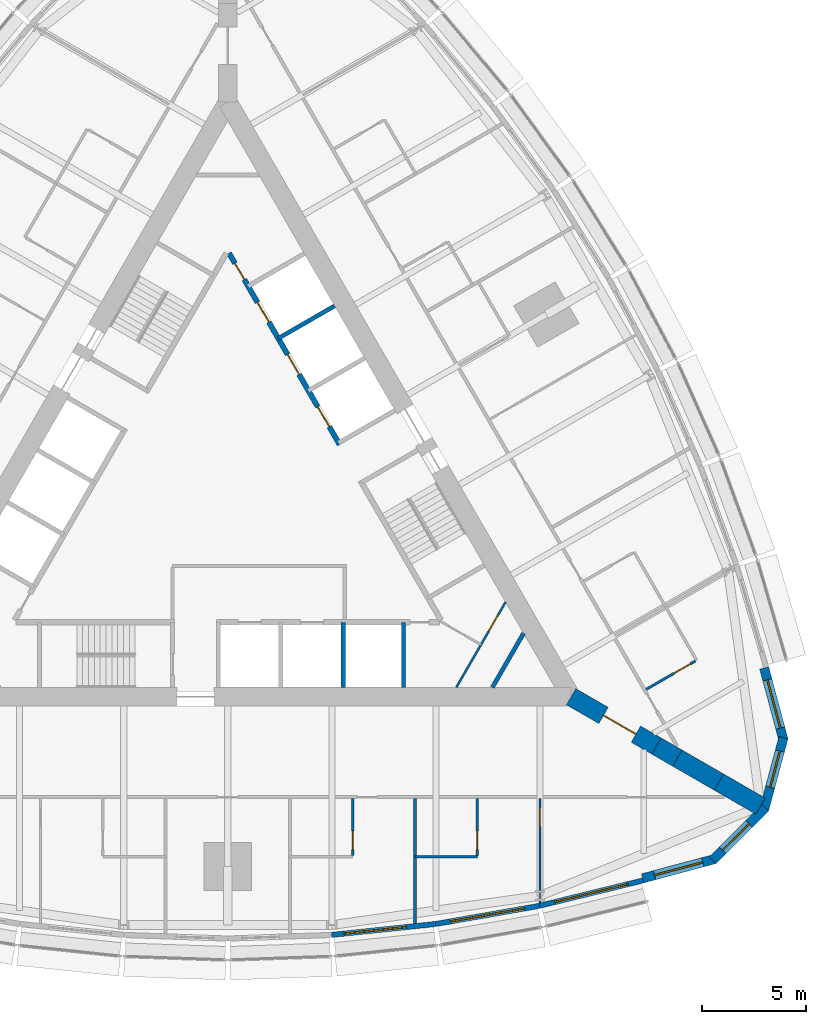
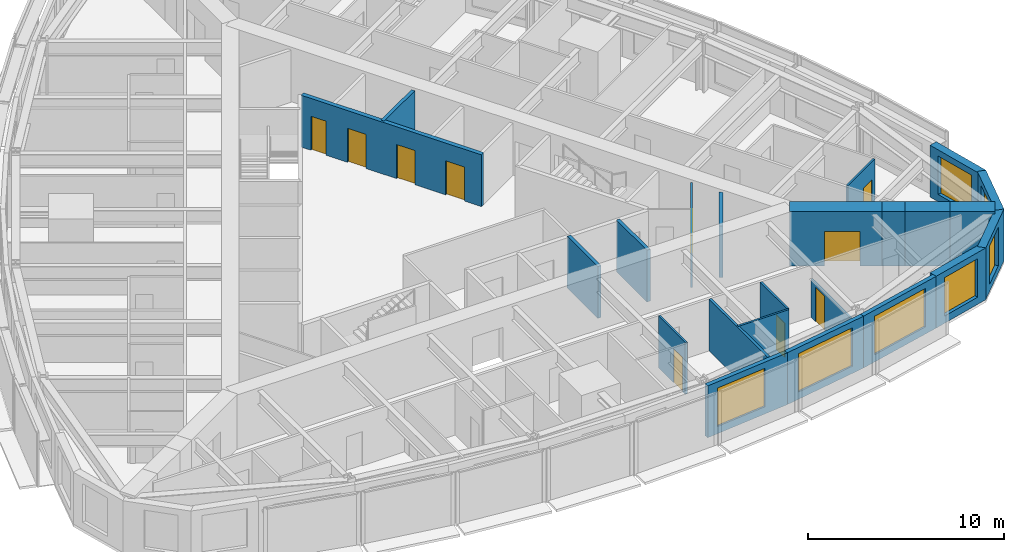
# One storey, part 10 of 14: 23 walls, 10 doors, 7 windows, 17 openings.
"""IFC4 building model written with IfcOpenShell, lengths in metres."""

from ifc_helpers import new_model, si_unit, direction, frame, frame_2d, origin, place, context, subcontext, project, spatial, polyline, rectangle, outline, extrude, material, layer, layer_set, type_object, element, fill, save


model = new_model("IFC4")

# Units and contexts
model_context = context("Model", 3, precision=1e-05, world=origin(), true_north=direction((0.0, 1.0)))
body_context = subcontext(model_context, "Body", "Model", "MODEL_VIEW")
ifc_project = project(units=[si_unit("LENGTHUNIT", "METRE"), si_unit("AREAUNIT", "SQUARE_METRE"), si_unit("VOLUMEUNIT", "CUBIC_METRE"), si_unit("PLANEANGLEUNIT", "RADIAN"), si_unit("MASSUNIT", "GRAM", prefix="KILO")], contexts=[model_context])

# Site, building, storey
site_placement = place(None, origin())
site = spatial("IfcSite", under=ifc_project, at=site_placement, CompositionType="ELEMENT")
building_placement = place(site_placement, origin())
building = spatial("IfcBuilding", under=site, at=building_placement, Name="Trikona Tower", CompositionType="ELEMENT")
storey_placement = place(building_placement, frame((0.0, 0.0, 169.10009765625)))
storey = spatial("IfcBuildingStorey", under=building, at=storey_placement, Name="L45", CompositionType="ELEMENT", Elevation=169.10009765625)

# Wall, opening, door
ifc_material_1 = material(Name="Metal stud and cement board", Category="gypsum")
ifc_layer_1 = layer(ifc_material_1, 0.1201171875)
ifc_layer_set_1 = layer_set([ifc_layer_1], Name="Bathroom wall 120")
wall_type_1 = type_object("IfcWallType", Name="Bathroom wall 120", PredefinedType="PLUMBINGWALL", material=ifc_layer_set_1)
wall_1_placement = place(storey_placement, frame((6.0, -14.42626953125, 0.0), z_axis=(0.0, 0.0, 1.0), x_axis=(0.0, -1.0, 0.0)))
wall_1 = element("IfcWall", 1, at=wall_1_placement, inside=storey, type_object=wall_type_1, Name="Bathroom wall 4503", PredefinedType="PLUMBINGWALL", context=body_context, shape_type="SweptSolid", body=[
    extrude(rectangle(XDim=2.739990234375, YDim=0.1201171875, at=frame_2d((1.3701171875, 0.0))), origin(), (0.0, 0.0, 1.0), 3.23486328125),
])
opening_1_placement = place(wall_1_placement, frame((1.550048828125, 0.0, 0.0)))
opening_1 = element("IfcOpeningElement", 2, at=opening_1_placement, cuts=wall_1, Name="Opening D2", PredefinedType="OPENING", context=body_context, shape_type="SweptSolid", body=[
    extrude(rectangle(XDim=0.89990234375, YDim=2.1298828125, at=frame_2d((0.449951171875, 1.06494140625))), frame((0.0, 0.070068359375, 0.0), z_axis=(0.0, -1.0, 0.0), x_axis=(1.0, 0.0, 0.0)), (0.0, 0.0, 1.0), 0.14013671875),
])
ifc_material_2 = material(Name="Steel door frame with solid-core timber leaf", Category="steel")
door_type_1 = type_object("IfcDoorType", Name="Bathroom door 900x2130", OperationType="SLIDING_TO_LEFT", PredefinedType="DOOR", material=ifc_material_2)
door_1_placement = place(opening_1_placement, origin())
door_1 = element("IfcDoor", 3, at=door_1_placement, inside=storey, type_object=door_type_1, Name="Bathroom door 4503", OperationType="SLIDING_TO_LEFT", OverallHeight=2.1298828125, OverallWidth=0.89990234375, PredefinedType="DOOR", context=body_context, shape_type="SweptSolid", body=[
    extrude(rectangle(XDim=0.89990234375, YDim=2.1298828125, at=frame_2d((0.449951171875, 1.06494140625))), frame((0.0, 0.02490234375, 0.0), z_axis=(0.0, -1.0, 0.0), x_axis=(1.0, 0.0, 0.0)), (0.0, 0.0, 1.0), 0.050048828125),
])
fill(opening_1, door_1)

# Wall
wall_2_placement = place(storey_placement, frame((9.0, -17.226318359375, 0.0), z_axis=(0.0, 0.0, 1.0), x_axis=(1.0, 0.0, 0.0)))
element("IfcWall", 4, at=wall_2_placement, inside=storey, type_object=wall_type_1, Name="Bathroom wall 4504.1", PredefinedType="PLUMBINGWALL", context=body_context, shape_type="SweptSolid", body=[
    extrude(rectangle(XDim=3.0, YDim=0.1201171875, at=frame_2d((1.5, 0.0))), origin(), (0.0, 0.0, 1.0), 3.23486328125),
])

# Wall, opening, door
wall_3_placement = place(storey_placement, frame((12.0, -14.42626953125, 0.0), z_axis=(0.0, 0.0, 1.0), x_axis=(0.0, -1.0, 0.0)))
wall_3 = element("IfcWall", 5, at=wall_3_placement, inside=storey, type_object=wall_type_1, Name="Bathroom wall 4504.1", PredefinedType="PLUMBINGWALL", context=body_context, shape_type="SweptSolid", body=[
    extrude(rectangle(XDim=2.739990234375, YDim=0.1201171875, at=frame_2d((1.3701171875, 0.0))), origin(), (0.0, 0.0, 1.0), 3.23486328125),
])
opening_2_placement = place(wall_3_placement, frame((1.550048828125, 0.0, 0.0)))
opening_2 = element("IfcOpeningElement", 6, at=opening_2_placement, cuts=wall_3, Name="Opening D2", PredefinedType="OPENING", context=body_context, shape_type="SweptSolid", body=[
    extrude(rectangle(XDim=0.89990234375, YDim=2.1298828125, at=frame_2d((0.449951171875, 1.06494140625))), frame((0.0, 0.070068359375, 0.0), z_axis=(0.0, -1.0, 0.0), x_axis=(1.0, 0.0, 0.0)), (0.0, 0.0, 1.0), 0.14013671875),
])
door_2_placement = place(opening_2_placement, origin())
door_2 = element("IfcDoor", 7, at=door_2_placement, inside=storey, type_object=door_type_1, Name="Bathroom door 4504.1", OperationType="SLIDING_TO_LEFT", OverallHeight=2.1298828125, OverallWidth=0.89990234375, PredefinedType="DOOR", context=body_context, shape_type="SweptSolid", body=[
    extrude(rectangle(XDim=0.89990234375, YDim=2.1298828125, at=frame_2d((0.449951171875, 1.06494140625))), frame((0.0, 0.02490234375, 0.0), z_axis=(0.0, -1.0, 0.0), x_axis=(1.0, 0.0, 0.0)), (0.0, 0.0, 1.0), 0.050048828125),
])
fill(opening_2, door_2)

wall_4_placement = place(storey_placement, frame((20.10791015625, -9.17529296875, 0.0), z_axis=(0.0, 0.0, 1.0), x_axis=(0.866035715982, 0.499982138324, 0.0)))
wall_4 = element("IfcWall", 8, at=wall_4_placement, inside=storey, type_object=wall_type_1, Name="Bathroom wall 4505", PredefinedType="PLUMBINGWALL", context=body_context, shape_type="SweptSolid", body=[
    extrude(rectangle(XDim=2.73974609375, YDim=0.1201171875, at=frame_2d((1.369873046875, 0.0))), origin(), (0.0, 0.0, 1.0), 3.23486328125),
])
opening_3_placement = place(wall_4_placement, frame((1.550048828125, 0.0, 0.0)))
opening_3 = element("IfcOpeningElement", 9, at=opening_3_placement, cuts=wall_4, Name="Opening D2", PredefinedType="OPENING", context=body_context, shape_type="SweptSolid", body=[
    extrude(rectangle(XDim=0.89990234375, YDim=2.1298828125, at=frame_2d((0.449951171875, 1.06494140625))), frame((0.0, 0.070068359375, 0.0), z_axis=(0.0, -1.0, 0.0), x_axis=(1.0, 0.0, 0.0)), (0.0, 0.0, 1.0), 0.14013671875),
])
door_3_placement = place(opening_3_placement, origin())
door_3 = element("IfcDoor", 10, at=door_3_placement, inside=storey, type_object=door_type_1, Name="Bathroom door 4505", OperationType="SLIDING_TO_LEFT", OverallHeight=2.1298828125, OverallWidth=0.89990234375, PredefinedType="DOOR", context=body_context, shape_type="SweptSolid", body=[
    extrude(rectangle(XDim=0.89990234375, YDim=2.1298828125, at=frame_2d((0.449951171875, 1.06494140625))), frame((0.0, 0.02490234375, 0.0), z_axis=(0.0, -1.0, 0.0), x_axis=(1.0, 0.0, 0.0)), (0.0, 0.0, 1.0), 0.050048828125),
])
fill(opening_3, door_3)

# Wall, opening, window
ifc_material_3 = material(Name="Brick-faced precast concrete", Category="masonry")
ifc_layer_2 = layer(ifc_material_3, 0.449951171875)
ifc_layer_set_2 = layer_set([ifc_layer_2], Name="Brick-faced corner wall 450")
wall_type_2 = type_object("IfcWallType", Name="Brick-faced corner wall 450", PredefinedType="SOLIDWALL", material=ifc_layer_set_2)
wall_5_placement = place(storey_placement, frame((19.94189453125, -18.2578125, 0.0), z_axis=(0.0, 0.0, 1.0), x_axis=(0.965924653531, 0.258823421857, 0.0)))
wall_5 = element("IfcWall", 11, at=wall_5_placement, inside=storey, type_object=wall_type_2, Name="External wall L45-08", PredefinedType="SOLIDWALL", context=body_context, shape_type="SweptSolid", body=[
    extrude(rectangle(XDim=3.58642578125, YDim=0.449951171875, at=frame_2d((1.793212890625, 0.0))), origin(), (0.0, 0.0, 1.0), 3.23486328125),
])
opening_4_placement = place(wall_5_placement, frame((0.593017578125, 0.0, 0.449951171875)))
opening_4 = element("IfcOpeningElement", 12, at=opening_4_placement, cuts=wall_5, Name="Opening W2424", PredefinedType="OPENING", context=body_context, shape_type="SweptSolid", body=[
    extrude(rectangle(XDim=2.39990234375, YDim=2.39990234375, at=frame_2d((1.199951171875, 1.199951171875))), frame((0.0, 0.23486328125, 0.0), z_axis=(0.0, -1.0, 0.0), x_axis=(1.0, 0.0, 0.0)), (0.0, 0.0, 1.0), 0.469970703125),
])
ifc_material_4 = material(Name="Aluminium-framed double glazing", Category="aluminium")
window_type_1 = type_object("IfcWindowType", Name="Window 2400x2400", PartitioningType="SINGLE_PANEL", PredefinedType="WINDOW", material=ifc_material_4)
window_1_placement = place(opening_4_placement, origin())
window_1 = element("IfcWindow", 13, at=window_1_placement, inside=storey, type_object=window_type_1, Name="Window 4504", OverallHeight=2.39990234375, OverallWidth=2.39990234375, PartitioningType="SINGLE_PANEL", PredefinedType="WINDOW", context=body_context, shape_type="SweptSolid", body=[
    extrude(rectangle(XDim=2.39990234375, YDim=2.39990234375, at=frame_2d((1.199951171875, 1.199951171875))), frame((0.0, 0.030029296875, 0.0), z_axis=(0.0, -1.0, 0.0), x_axis=(1.0, 0.0, 0.0)), (0.0, 0.0, 1.0), 0.06005859375),
])
fill(opening_4, window_1)

wall_6_placement = place(storey_placement, frame((23.304931640625, -17.387939453125, 0.0), z_axis=(0.0, 0.0, 1.0), x_axis=(0.707106781187, 0.707106781187, 0.0)))
wall_6 = element("IfcWall", 14, at=wall_6_placement, inside=storey, type_object=wall_type_2, Name="External wall L45-09", PredefinedType="SOLIDWALL", context=body_context, shape_type="SweptSolid", body=[
    extrude(outline(polyline([(3.586181640625, 0.22509765625), (3.527099609375, 0.22509765625), (3.03515625, 0.09326171875), (3.0, 0.22509765625), (0.0, 0.22509765625), (0.0, -0.22509765625), (3.586181640625, -0.22509765625), (3.586181640625, 0.22509765625)])), origin(), (0.0, 0.0, 1.0), 3.23486328125),
])
opening_5_placement = place(wall_6_placement, frame((0.6748046875, 0.0, 0.449951171875)))
opening_5 = element("IfcOpeningElement", 15, at=opening_5_placement, cuts=wall_6, Name="Opening W1824", PredefinedType="OPENING", context=body_context, shape_type="SweptSolid", body=[
    extrude(rectangle(XDim=1.800048828125, YDim=2.39990234375, at=frame_2d((0.89990234375, 1.199951171875))), frame((0.0, 0.23486328125, 0.0), z_axis=(0.0, -1.0, 0.0), x_axis=(1.0, 0.0, 0.0)), (0.0, 0.0, 1.0), 0.469970703125),
])
ifc_material_5 = material(Name="Aluminium-framed double glazing", Category="aluminium")
window_type_2 = type_object("IfcWindowType", Name="Window 1800x2400", PartitioningType="SINGLE_PANEL", PredefinedType="WINDOW", material=ifc_material_5)
window_2_placement = place(opening_5_placement, origin())
window_2 = element("IfcWindow", 16, at=window_2_placement, inside=storey, type_object=window_type_2, Name="Window 4504", OverallHeight=2.39990234375, OverallWidth=1.800048828125, PartitioningType="SINGLE_PANEL", PredefinedType="WINDOW", context=body_context, shape_type="SweptSolid", body=[
    extrude(rectangle(XDim=1.800048828125, YDim=2.39990234375, at=frame_2d((0.89990234375, 1.199951171875))), frame((0.0, 0.030029296875, 0.0), z_axis=(0.0, -1.0, 0.0), x_axis=(1.0, 0.0, 0.0)), (0.0, 0.0, 1.0), 0.06005859375),
])
fill(opening_5, window_2)

wall_7_placement = place(storey_placement, frame((25.78271484375, -14.952880859375, 0.0), z_axis=(0.0, 0.0, 1.0), x_axis=(0.258823421857, 0.965924653531, 0.0)))
wall_7 = element("IfcWall", 17, at=wall_7_placement, inside=storey, type_object=wall_type_2, Name="External wall L45-10", PredefinedType="SOLIDWALL", context=body_context, shape_type="SweptSolid", body=[
    extrude(outline(polyline([(3.58642578125, 0.22509765625), (0.58642578125, 0.22509765625), (0.551025390625, 0.09326171875), (0.0595703125, 0.22509765625), (0.0, 0.22509765625), (0.0, -0.22509765625), (3.58642578125, -0.22509765625), (3.58642578125, 0.22509765625)])), origin(), (0.0, 0.0, 1.0), 3.23486328125),
])
opening_6_placement = place(wall_7_placement, frame((1.111328125, 0.0, 0.449951171875)))
opening_6 = element("IfcOpeningElement", 18, at=opening_6_placement, cuts=wall_7, Name="Opening W1824", PredefinedType="OPENING", context=body_context, shape_type="SweptSolid", body=[
    extrude(rectangle(XDim=1.800048828125, YDim=2.39990234375, at=frame_2d((0.89990234375, 1.199951171875))), frame((0.0, 0.23486328125, 0.0), z_axis=(0.0, -1.0, 0.0), x_axis=(1.0, 0.0, 0.0)), (0.0, 0.0, 1.0), 0.469970703125),
])
window_3_placement = place(opening_6_placement, origin())
window_3 = element("IfcWindow", 19, at=window_3_placement, inside=storey, type_object=window_type_2, Name="Window 4505", OverallHeight=2.39990234375, OverallWidth=1.800048828125, PartitioningType="SINGLE_PANEL", PredefinedType="WINDOW", context=body_context, shape_type="SweptSolid", body=[
    extrude(rectangle(XDim=1.800048828125, YDim=2.39990234375, at=frame_2d((0.89990234375, 1.199951171875))), frame((0.0, 0.030029296875, 0.0), z_axis=(0.0, -1.0, 0.0), x_axis=(1.0, 0.0, 0.0)), (0.0, 0.0, 1.0), 0.06005859375),
])
fill(opening_6, window_3)

wall_8_placement = place(storey_placement, frame((26.7109375, -11.605224609375, 0.0), z_axis=(0.0, 0.0, 1.0), x_axis=(-0.258823421857, 0.965924653531, 0.0)))
wall_8 = element("IfcWall", 20, at=wall_8_placement, inside=storey, type_object=wall_type_2, Name="External wall L45-11", PredefinedType="SOLIDWALL", context=body_context, shape_type="SweptSolid", body=[
    extrude(rectangle(XDim=3.58642578125, YDim=0.449951171875, at=frame_2d((1.793212890625, 0.0))), origin(), (0.0, 0.0, 1.0), 3.23486328125),
])
opening_7_placement = place(wall_8_placement, frame((0.593017578125, 0.0, 0.449951171875)))
opening_7 = element("IfcOpeningElement", 21, at=opening_7_placement, cuts=wall_8, Name="Opening W2424", PredefinedType="OPENING", context=body_context, shape_type="SweptSolid", body=[
    extrude(rectangle(XDim=2.39990234375, YDim=2.39990234375, at=frame_2d((1.199951171875, 1.199951171875))), frame((0.0, 0.23486328125, 0.0), z_axis=(0.0, -1.0, 0.0), x_axis=(1.0, 0.0, 0.0)), (0.0, 0.0, 1.0), 0.469970703125),
])
window_4_placement = place(opening_7_placement, origin())
window_4 = element("IfcWindow", 22, at=window_4_placement, inside=storey, type_object=window_type_1, Name="Window 4505", OverallHeight=2.39990234375, OverallWidth=2.39990234375, PartitioningType="SINGLE_PANEL", PredefinedType="WINDOW", context=body_context, shape_type="SweptSolid", body=[
    extrude(rectangle(XDim=2.39990234375, YDim=2.39990234375, at=frame_2d((1.199951171875, 1.199951171875))), frame((0.0, 0.030029296875, 0.0), z_axis=(0.0, -1.0, 0.0), x_axis=(1.0, 0.0, 0.0)), (0.0, 0.0, 1.0), 0.06005859375),
])
fill(opening_7, window_4)

# Wall, opening, door
ifc_material_6 = material(Name="Concrete f'c 10000 psi", Category="concrete")
ifc_layer_3 = layer(ifc_material_6, 0.89990234375)
ifc_layer_set_3 = layer_set([ifc_layer_3], Name="Buttress wall 900")
wall_type_3 = type_object("IfcWallType", Name="Buttress wall 900", PredefinedType="SHEAR", material=ifc_layer_set_3)
wall_9_placement = place(storey_placement, frame((16.5, -9.5263671875, 0.0), z_axis=(0.0, 0.0, 1.0), x_axis=(0.866031398331, -0.499989616998, 0.0)))
wall_9 = element("IfcWall", 23, at=wall_9_placement, inside=storey, type_object=wall_type_3, Name="Buttress wall 1", PredefinedType="SHEAR", context=body_context, shape_type="SweptSolid", body=[
    extrude(rectangle(XDim=4.74609375, YDim=0.89990234375, at=frame_2d((2.373046875, 0.0))), origin(), (0.0, 0.0, 1.0), 3.39990234375),
])
opening_8_placement = place(wall_9_placement, frame((1.800048828125, 0.0, 0.0)))
opening_8 = element("IfcOpeningElement", 24, at=opening_8_placement, cuts=wall_9, Name="Opening D10", PredefinedType="OPENING", context=body_context, shape_type="SweptSolid", body=[
    extrude(rectangle(XDim=1.800048828125, YDim=2.1298828125, at=frame_2d((0.89990234375, 1.06494140625))), frame((0.0, 0.4599609375, 0.0), z_axis=(0.0, -1.0, 0.0), x_axis=(1.0, 0.0, 0.0)), (0.0, 0.0, 1.0), 0.919921875),
])
ifc_material_7 = material(Name="Hollow metal door and frame", Category="steel")
door_type_2 = type_object("IfcDoorType", Name="Cross-corridor door pair 1800x2130", OperationType="DOUBLE_DOOR_DOUBLE_SWING", PredefinedType="DOOR", material=ifc_material_7)
door_4_placement = place(opening_8_placement, origin())
door_4 = element("IfcDoor", 25, at=door_4_placement, inside=storey, type_object=door_type_2, Name="Cross-corridor door 1", OperationType="DOUBLE_DOOR_DOUBLE_SWING", OverallHeight=2.1298828125, OverallWidth=1.800048828125, PredefinedType="DOOR", context=body_context, shape_type="SweptSolid", body=[
    extrude(rectangle(XDim=1.800048828125, YDim=2.1298828125, at=frame_2d((0.89990234375, 1.06494140625))), frame((0.0, 0.02490234375, 0.0), z_axis=(0.0, -1.0, 0.0), x_axis=(1.0, 0.0, 0.0)), (0.0, 0.0, 1.0), 0.050048828125),
])
fill(opening_8, door_4)

# Walls
wall_10_placement = place(storey_placement, frame((20.6103515625, -11.8994140625, 0.0), z_axis=(0.0, 0.0, 1.0), x_axis=(0.866009537788, -0.500027479704, 0.0)))
element("IfcWall", 26, at=wall_10_placement, inside=storey, type_object=wall_type_3, Name="Buttress wall 1 part 2", PredefinedType="SHEAR", context=body_context, shape_type="SweptSolid", body=[
    extrude(rectangle(XDim=1.15478515625, YDim=0.89990234375, at=frame_2d((0.577392578125, 0.0))), origin(), (0.0, 0.0, 1.0), 3.39990234375),
])
for number, where, z_axis, x_axis, name in (
    (27, (21.6103515625, -12.476806640625, 0.0), (0.0, 0.0, 1.0), (0.866055313784, -0.499948190782, 0.0), "Buttress wall 1 part 3"),
    (28, (23.6103515625, -13.63134765625, 0.0), (0.0, 0.0, 1.0), (0.866009537788, -0.500027479704, 0.0), "Buttress wall 1 part 4"),
):
    element("IfcWall", number, at=place(storey_placement, frame(where, z_axis=z_axis, x_axis=x_axis)), inside=storey, type_object=wall_type_3, Name=name, PredefinedType="SHEAR", context=body_context, shape_type="SweptSolid", body=[
        extrude(rectangle(XDim=2.309326171875, YDim=0.89990234375, at=frame_2d((1.15478515625, 0.0))), origin(), (0.0, 0.0, 1.0), 3.39990234375),
    ])

# Wall, openings, doors
ifc_material_8 = material(Name="Concrete f'c 8000 psi", Category="concrete")
ifc_layer_4 = layer(ifc_material_8, 0.25)
ifc_layer_set_4 = layer_set([ifc_layer_4], Name="Hub wall 250")
wall_type_4 = type_object("IfcWallType", Name="Hub wall 250", PredefinedType="SOLIDWALL", material=ifc_layer_set_4)
wall_11_placement = place(storey_placement, frame((5.37890625, 2.5859375, 0.0), z_axis=(0.0, 0.0, 1.0), x_axis=(-0.500001375892, 0.866024609411, 0.0)))
wall_11 = element("IfcWall", 29, at=wall_11_placement, inside=storey, type_object=wall_type_4, Name="Lift lobby wall B2", PredefinedType="SOLIDWALL", context=body_context, shape_type="SweptSolid", body=[
    extrude(rectangle(XDim=10.6328125, YDim=0.25, at=frame_2d((5.31640625, 0.0))), origin(), (0.0, 0.0, 1.0), 3.23486328125),
])
opening_9_placement = place(wall_11_placement, frame((9.1640625, 0.0, 0.0)))
opening_9 = element("IfcOpeningElement", 30, at=opening_9_placement, cuts=wall_11, Name="Opening D14", PredefinedType="OPENING", context=body_context, shape_type="SweptSolid", body=[
    extrude(rectangle(XDim=0.89990234375, YDim=2.1298828125, at=frame_2d((0.449951171875, 1.06494140625))), frame((0.0, 0.135009765625, 0.0), z_axis=(0.0, -1.0, 0.0), x_axis=(1.0, 0.0, 0.0)), (0.0, 0.0, 1.0), 0.27001953125),
])
opening_10_placement = place(wall_11_placement, frame((1.0, 0.0, 0.0)))
opening_10 = element("IfcOpeningElement", 31, at=opening_10_placement, cuts=wall_11, Name="Opening LD", PredefinedType="OPENING", context=body_context, shape_type="SweptSolid", body=[
    extrude(rectangle(XDim=1.10009765625, YDim=2.1298828125, at=frame_2d((0.550048828125, 1.06494140625))), frame((0.0, 0.135009765625, 0.0), z_axis=(0.0, -1.0, 0.0), x_axis=(1.0, 0.0, 0.0)), (0.0, 0.0, 1.0), 0.27001953125),
])
opening_11_placement = place(wall_11_placement, frame((3.89990234375, 0.0, 0.0)))
opening_11 = element("IfcOpeningElement", 32, at=opening_11_placement, cuts=wall_11, Name="Opening LD", PredefinedType="OPENING", context=body_context, shape_type="SweptSolid", body=[
    extrude(rectangle(XDim=1.10009765625, YDim=2.1298828125, at=frame_2d((0.550048828125, 1.06494140625))), frame((0.0, 0.135009765625, 0.0), z_axis=(0.0, -1.0, 0.0), x_axis=(1.0, 0.0, 0.0)), (0.0, 0.0, 1.0), 0.27001953125),
])
opening_12_placement = place(wall_11_placement, frame((6.800048828125, 0.0, 0.0)))
opening_12 = element("IfcOpeningElement", 33, at=opening_12_placement, cuts=wall_11, Name="Opening LD", PredefinedType="OPENING", context=body_context, shape_type="SweptSolid", body=[
    extrude(rectangle(XDim=1.10009765625, YDim=2.1298828125, at=frame_2d((0.550048828125, 1.06494140625))), frame((0.0, 0.135009765625, 0.0), z_axis=(0.0, -1.0, 0.0), x_axis=(1.0, 0.0, 0.0)), (0.0, 0.0, 1.0), 0.27001953125),
])
ifc_material_9 = material(Name="Stainless steel lift landing door", Category="steel")
door_type_3 = type_object("IfcDoorType", Name="Lift landing door 1100x2130", OperationType="DOUBLE_DOOR_SLIDING", PredefinedType="USERDEFINED", material=ifc_material_9)
door_5_placement = place(opening_10_placement, origin())
door_5 = element("IfcDoor", 34, at=door_5_placement, inside=storey, type_object=door_type_3, Name="Lift landing door L2-1", ObjectType="LIFT LANDING DOOR", OperationType="DOUBLE_DOOR_SLIDING", OverallHeight=2.1298828125, OverallWidth=1.10009765625, PredefinedType="USERDEFINED", context=body_context, shape_type="SweptSolid", body=[
    extrude(rectangle(XDim=1.10009765625, YDim=2.1298828125, at=frame_2d((0.550048828125, 1.06494140625))), frame((0.0, 0.02490234375, 0.0), z_axis=(0.0, -1.0, 0.0), x_axis=(1.0, 0.0, 0.0)), (0.0, 0.0, 1.0), 0.050048828125),
])
fill(opening_10, door_5)
door_6_placement = place(opening_11_placement, origin())
door_6 = element("IfcDoor", 35, at=door_6_placement, inside=storey, type_object=door_type_3, Name="Lift landing door L2-2", ObjectType="LIFT LANDING DOOR", OperationType="DOUBLE_DOOR_SLIDING", OverallHeight=2.1298828125, OverallWidth=1.10009765625, PredefinedType="USERDEFINED", context=body_context, shape_type="SweptSolid", body=[
    extrude(rectangle(XDim=1.10009765625, YDim=2.1298828125, at=frame_2d((0.550048828125, 1.06494140625))), frame((0.0, 0.02490234375, 0.0), z_axis=(0.0, -1.0, 0.0), x_axis=(1.0, 0.0, 0.0)), (0.0, 0.0, 1.0), 0.050048828125),
])
fill(opening_11, door_6)
door_7_placement = place(opening_12_placement, origin())
door_7 = element("IfcDoor", 36, at=door_7_placement, inside=storey, type_object=door_type_3, Name="Lift landing door L2-3", ObjectType="LIFT LANDING DOOR", OperationType="DOUBLE_DOOR_SLIDING", OverallHeight=2.1298828125, OverallWidth=1.10009765625, PredefinedType="USERDEFINED", context=body_context, shape_type="SweptSolid", body=[
    extrude(rectangle(XDim=1.10009765625, YDim=2.1298828125, at=frame_2d((0.550048828125, 1.06494140625))), frame((0.0, 0.02490234375, 0.0), z_axis=(0.0, -1.0, 0.0), x_axis=(1.0, 0.0, 0.0)), (0.0, 0.0, 1.0), 0.050048828125),
])
fill(opening_12, door_7)
ifc_material_10 = material(Name="Hollow metal door and frame", Category="steel")
door_type_4 = type_object("IfcDoorType", Name="Service room door 900x2130", OperationType="SINGLE_SWING_LEFT", PredefinedType="DOOR", material=ifc_material_10)
door_8_placement = place(opening_9_placement, origin())
door_8 = element("IfcDoor", 37, at=door_8_placement, inside=storey, type_object=door_type_4, Name="Door Ice and vending ICE", OperationType="SINGLE_SWING_RIGHT", OverallHeight=2.1298828125, OverallWidth=0.89990234375, PredefinedType="DOOR", context=body_context, shape_type="SweptSolid", body=[
    extrude(rectangle(XDim=0.89990234375, YDim=2.1298828125, at=frame_2d((0.449951171875, 1.06494140625))), frame((0.0, 0.02490234375, 0.0), z_axis=(0.0, -1.0, 0.0), x_axis=(1.0, 0.0, 0.0)), (0.0, 0.0, 1.0), 0.050048828125),
])
fill(opening_9, door_8)

# Wall, opening, window
ifc_material_11 = material(Name="Insulated precast concrete spandrel panel", Category="concrete")
ifc_layer_5 = layer(ifc_material_11, 0.25)
ifc_layer_set_5 = layer_set([ifc_layer_5], Name="Inner skin wall 250")
wall_type_5 = type_object("IfcWallType", Name="Inner skin wall 250", PredefinedType="STANDARD", material=ifc_layer_set_5)
wall_12_placement = place(storey_placement, frame((4.98681640625, -20.975830078125, 0.0), z_axis=(0.0, 0.0, 1.0), x_axis=(0.994534683851, 0.104406717299, 0.0)))
wall_12 = element("IfcWall", 38, at=wall_12_placement, inside=storey, type_object=wall_type_5, Name="External wall L45-05", PredefinedType="STANDARD", context=body_context, shape_type="SweptSolid", body=[
    extrude(rectangle(XDim=5.027587890625, YDim=0.25, at=frame_2d((2.513671875, 0.0))), origin(), (0.0, 0.0, 1.0), 3.23486328125),
])
opening_13_placement = place(wall_12_placement, frame((0.609619140625, 0.0, 0.449951171875)))
opening_13 = element("IfcOpeningElement", 39, at=opening_13_placement, cuts=wall_12, Name="Opening W3024", PredefinedType="OPENING", context=body_context, shape_type="SweptSolid", body=[
    extrude(rectangle(XDim=3.0, YDim=2.39990234375, at=frame_2d((1.5, 1.199951171875))), frame((0.0, 0.135009765625, 0.0), z_axis=(0.0, -1.0, 0.0), x_axis=(1.0, 0.0, 0.0)), (0.0, 0.0, 1.0), 0.27001953125),
])
ifc_material_12 = material(Name="Aluminium-framed double glazing", Category="aluminium")
window_type_3 = type_object("IfcWindowType", Name="Window 3000x2400", PartitioningType="SINGLE_PANEL", PredefinedType="WINDOW", material=ifc_material_12)
window_5_placement = place(opening_13_placement, origin())
window_5 = element("IfcWindow", 40, at=window_5_placement, inside=storey, type_object=window_type_3, Name="Window 4503", OverallHeight=2.39990234375, OverallWidth=3.0, PartitioningType="SINGLE_PANEL", PredefinedType="WINDOW", context=body_context, shape_type="SweptSolid", body=[
    extrude(rectangle(XDim=3.0, YDim=2.39990234375, at=frame_2d((1.5, 1.199951171875))), frame((0.0, 0.030029296875, 0.0), z_axis=(0.0, -1.0, 0.0), x_axis=(1.0, 0.0, 0.0)), (0.0, 0.0, 1.0), 0.06005859375),
])
fill(opening_13, window_5)

wall_13_placement = place(storey_placement, frame((9.978515625, -20.4521484375, 0.0), z_axis=(0.0, 0.0, 1.0), x_axis=(0.985030467156, 0.172380331752, 0.0)))
wall_13 = element("IfcWall", 41, at=wall_13_placement, inside=storey, type_object=wall_type_5, Name="External wall L45-06", PredefinedType="STANDARD", context=body_context, shape_type="SweptSolid", body=[
    extrude(rectangle(XDim=5.075927734375, YDim=0.25, at=frame_2d((2.5380859375, 0.0))), origin(), (0.0, 0.0, 1.0), 3.23486328125),
])
opening_14_placement = place(wall_13_placement, frame((0.738037109375, 0.0, 0.449951171875)))
opening_14 = element("IfcOpeningElement", 42, at=opening_14_placement, cuts=wall_13, Name="Opening W3624", PredefinedType="OPENING", context=body_context, shape_type="SweptSolid", body=[
    extrude(rectangle(XDim=3.60009765625, YDim=2.39990234375, at=frame_2d((1.800048828125, 1.199951171875))), frame((0.0, 0.135009765625, 0.0), z_axis=(0.0, -1.0, 0.0), x_axis=(1.0, 0.0, 0.0)), (0.0, 0.0, 1.0), 0.27001953125),
])
ifc_material_13 = material(Name="Aluminium-framed double glazing", Category="aluminium")
window_type_4 = type_object("IfcWindowType", Name="Window 3600x2400", PartitioningType="SINGLE_PANEL", PredefinedType="WINDOW", material=ifc_material_13)
window_6_placement = place(opening_14_placement, origin())
window_6 = element("IfcWindow", 43, at=window_6_placement, inside=storey, type_object=window_type_4, Name="Window 4504.1", OverallHeight=2.39990234375, OverallWidth=3.60009765625, PartitioningType="SINGLE_PANEL", PredefinedType="WINDOW", context=body_context, shape_type="SweptSolid", body=[
    extrude(rectangle(XDim=3.60009765625, YDim=2.39990234375, at=frame_2d((1.800048828125, 1.199951171875))), frame((0.0, 0.030029296875, 0.0), z_axis=(0.0, -1.0, 0.0), x_axis=(1.0, 0.0, 0.0)), (0.0, 0.0, 1.0), 0.06005859375),
])
fill(opening_14, window_6)

wall_14_placement = place(storey_placement, frame((14.97021484375, -19.578857421875, 0.0), z_axis=(0.0, 0.0, 1.0), x_axis=(0.971270024053, 0.237980126011, 0.0)))
wall_14 = element("IfcWall", 44, at=wall_14_placement, inside=storey, type_object=wall_type_5, Name="External wall L45-07", PredefinedType="STANDARD", context=body_context, shape_type="SweptSolid", body=[
    extrude(rectangle(XDim=5.14794921875, YDim=0.25, at=frame_2d((2.573974609375, 0.0))), origin(), (0.0, 0.0, 1.0), 3.23486328125),
])
opening_15_placement = place(wall_14_placement, frame((0.77392578125, 0.0, 0.449951171875)))
opening_15 = element("IfcOpeningElement", 45, at=opening_15_placement, cuts=wall_14, Name="Opening W3624", PredefinedType="OPENING", context=body_context, shape_type="SweptSolid", body=[
    extrude(rectangle(XDim=3.60009765625, YDim=2.39990234375, at=frame_2d((1.800048828125, 1.199951171875))), frame((0.0, 0.135009765625, 0.0), z_axis=(0.0, -1.0, 0.0), x_axis=(1.0, 0.0, 0.0)), (0.0, 0.0, 1.0), 0.27001953125),
])
window_7_placement = place(opening_15_placement, origin())
window_7 = element("IfcWindow", 46, at=window_7_placement, inside=storey, type_object=window_type_4, Name="Window 4504", OverallHeight=2.39990234375, OverallWidth=3.60009765625, PartitioningType="SINGLE_PANEL", PredefinedType="WINDOW", context=body_context, shape_type="SweptSolid", body=[
    extrude(rectangle(XDim=3.60009765625, YDim=2.39990234375, at=frame_2d((1.800048828125, 1.199951171875))), frame((0.0, 0.030029296875, 0.0), z_axis=(0.0, -1.0, 0.0), x_axis=(1.0, 0.0, 0.0)), (0.0, 0.0, 1.0), 0.06005859375),
])
fill(opening_15, window_7)

# Walls
ifc_material_14 = material(Name="Metal stud and gypsum board, 1-hour acoustic", Category="gypsum")
ifc_layer_6 = layer(ifc_material_14, 0.14990234375)
ifc_layer_set_6 = layer_set([ifc_layer_6], Name="Party wall 150")
wall_type_6 = type_object("IfcWallType", Name="Party wall 150", PredefinedType="PARTITIONING", material=ifc_layer_set_6)
wall_15_placement = place(storey_placement, frame((9.0, -14.42626953125, 0.0), z_axis=(0.0, 0.0, 1.0), x_axis=(0.0, -1.0, 0.0)))
element("IfcWall", 47, at=wall_15_placement, inside=storey, type_object=wall_type_6, Name="Partition L45 F1 u9", PredefinedType="PARTITIONING", context=body_context, shape_type="SweptSolid", body=[
    extrude(rectangle(XDim=6.00244140625, YDim=0.14990234375, at=frame_2d((3.001220703125, 0.0))), origin(), (0.0, 0.0, 1.0), 3.23486328125),
])
ifc_material_15 = material(Name="Concrete f'c 8000 psi", Category="concrete")
ifc_layer_7 = layer(ifc_material_15, 0.199951171875)
ifc_layer_set_7 = layer_set([ifc_layer_7], Name="Shaft wall 200")
wall_type_7 = type_object("IfcWallType", Name="Shaft wall 200", PredefinedType="SOLIDWALL", material=ifc_layer_set_7)
for number, where, z_axis, x_axis, name in (
    (48, (5.550048828125, -5.951416015625, 0.0), (0.0, 0.0, 1.0), (0.0, -1.0, 0.0), "Shaft wall A5"),
    (49, (8.449951171875, -5.951416015625, 0.0), (0.0, 0.0, 1.0), (0.0, -1.0, 0.0), "Shaft wall A6"),
    (50, (2.428955078125, 7.695556640625, 0.0), (0.0, 0.0, 1.0), (0.866022959057, 0.500004234368, 0.0), "Shaft wall B5"),
):
    element("IfcWall", number, at=place(storey_placement, frame(where, z_axis=z_axis, x_axis=x_axis)), inside=storey, type_object=wall_type_7, Name=name, PredefinedType="SOLIDWALL", context=body_context, shape_type="SweptSolid", body=[
        extrude(rectangle(XDim=3.125, YDim=0.199951171875, at=frame_2d((1.5625, 0.0))), origin(), (0.0, 0.0, 1.0), 3.23486328125),
    ])
wall_16_placement = place(storey_placement, frame((14.219482421875, -6.476318359375, 0.0), z_axis=(0.0, 0.0, 1.0), x_axis=(-0.499952404951, -0.866052881055, 0.0)))
element("IfcWall", 51, at=wall_16_placement, inside=storey, type_object=wall_type_7, Name="Riser wall L45-RS1", PredefinedType="SOLIDWALL", context=body_context, shape_type="SweptSolid", body=[
    extrude(rectangle(XDim=3.002197265625, YDim=0.199951171875, at=frame_2d((1.5009765625, 0.0))), origin(), (0.0, 0.0, 1.0), 3.23486328125),
])

# Wall, opening, door
ifc_material_16 = material(Name="Metal stud and gypsum board, acoustic", Category="gypsum")
ifc_layer_8 = layer(ifc_material_16, 0.10009765625)
ifc_layer_set_8 = layer_set([ifc_layer_8], Name="Suite partition 100")
wall_type_8 = type_object("IfcWallType", Name="Suite partition 100", PredefinedType="PARTITIONING", material=ifc_layer_set_8)
wall_17_placement = place(storey_placement, frame((15.0, -14.42626953125, 0.0), z_axis=(0.0, 0.0, 1.0), x_axis=(0.0, -1.0, 0.0)))
wall_17 = element("IfcWall", 52, at=wall_17_placement, inside=storey, type_object=wall_type_8, Name="Suite partition L45 F1 u15", PredefinedType="PARTITIONING", context=body_context, shape_type="SweptSolid", body=[
    extrude(rectangle(XDim=5.0166015625, YDim=0.10009765625, at=frame_2d((2.50830078125, 0.0))), origin(), (0.0, 0.0, 1.0), 2.38916015625),
])
opening_16_placement = place(wall_17_placement, frame((0.449951171875, 0.0, 0.0)))
opening_16 = element("IfcOpeningElement", 53, at=opening_16_placement, cuts=wall_17, Name="Opening D13", PredefinedType="OPENING", context=body_context, shape_type="SweptSolid", body=[
    extrude(rectangle(XDim=0.89990234375, YDim=2.1298828125, at=frame_2d((0.449951171875, 1.06494140625))), frame((0.0, 0.06005859375, 0.0), z_axis=(0.0, -1.0, 0.0), x_axis=(1.0, 0.0, 0.0)), (0.0, 0.0, 1.0), 0.1201171875),
])
ifc_material_17 = material(Name="Steel door frame with solid-core timber leaf", Category="steel")
door_type_5 = type_object("IfcDoorType", Name="Suite door 900x2130", OperationType="SINGLE_SWING_LEFT", PredefinedType="DOOR", material=ifc_material_17)
door_9_placement = place(opening_16_placement, origin())
door_9 = element("IfcDoor", 54, at=door_9_placement, inside=storey, type_object=door_type_5, Name="Suite door 4504", OperationType="SINGLE_SWING_LEFT", OverallHeight=2.1298828125, OverallWidth=0.89990234375, PredefinedType="DOOR", context=body_context, shape_type="SweptSolid", body=[
    extrude(rectangle(XDim=0.89990234375, YDim=2.1298828125, at=frame_2d((0.449951171875, 1.06494140625))), frame((0.0, 0.02490234375, 0.0), z_axis=(0.0, -1.0, 0.0), x_axis=(1.0, 0.0, 0.0)), (0.0, 0.0, 1.0), 0.050048828125),
])
fill(opening_16, door_9)

wall_18_placement = place(storey_placement, frame((13.353515625, -4.976318359375, 0.0), z_axis=(0.0, 0.0, 1.0), x_axis=(-0.499999210213, -0.866025859768, 0.0)))
wall_18 = element("IfcWall", 55, at=wall_18_placement, inside=storey, type_object=wall_type_8, Name="Store partition L45-RS1", PredefinedType="PARTITIONING", context=body_context, shape_type="SweptSolid", body=[
    extrude(rectangle(XDim=4.734375, YDim=0.10009765625, at=frame_2d((2.3671875, 0.0))), origin(), (0.0, 0.0, 1.0), 3.23486328125),
])
opening_17_placement = place(wall_18_placement, frame((0.733642578125, 0.0, 0.0)))
opening_17 = element("IfcOpeningElement", 56, at=opening_17_placement, cuts=wall_18, Name="Opening D15", PredefinedType="OPENING", context=body_context, shape_type="SweptSolid", body=[
    extrude(rectangle(XDim=0.89990234375, YDim=2.1298828125, at=frame_2d((0.449951171875, 1.06494140625))), frame((0.0, 0.06005859375, 0.0), z_axis=(0.0, -1.0, 0.0), x_axis=(1.0, 0.0, 0.0)), (0.0, 0.0, 1.0), 0.1201171875),
])
ifc_material_18 = material(Name="Steel door frame with solid-core timber leaf", Category="steel")
door_type_6 = type_object("IfcDoorType", Name="Store door 900x2130", OperationType="SINGLE_SWING_LEFT", PredefinedType="DOOR", material=ifc_material_18)
door_10_placement = place(opening_17_placement, origin())
door_10 = element("IfcDoor", 57, at=door_10_placement, inside=storey, type_object=door_type_6, Name="Door Cleaner's store CLN", OperationType="SINGLE_SWING_LEFT", OverallHeight=2.1298828125, OverallWidth=0.89990234375, PredefinedType="DOOR", context=body_context, shape_type="SweptSolid", body=[
    extrude(rectangle(XDim=0.89990234375, YDim=2.1298828125, at=frame_2d((0.449951171875, 1.06494140625))), frame((0.0, 0.02490234375, 0.0), z_axis=(0.0, -1.0, 0.0), x_axis=(1.0, 0.0, 0.0)), (0.0, 0.0, 1.0), 0.050048828125),
])
fill(opening_17, door_10)

save(model, "model.ifc")
